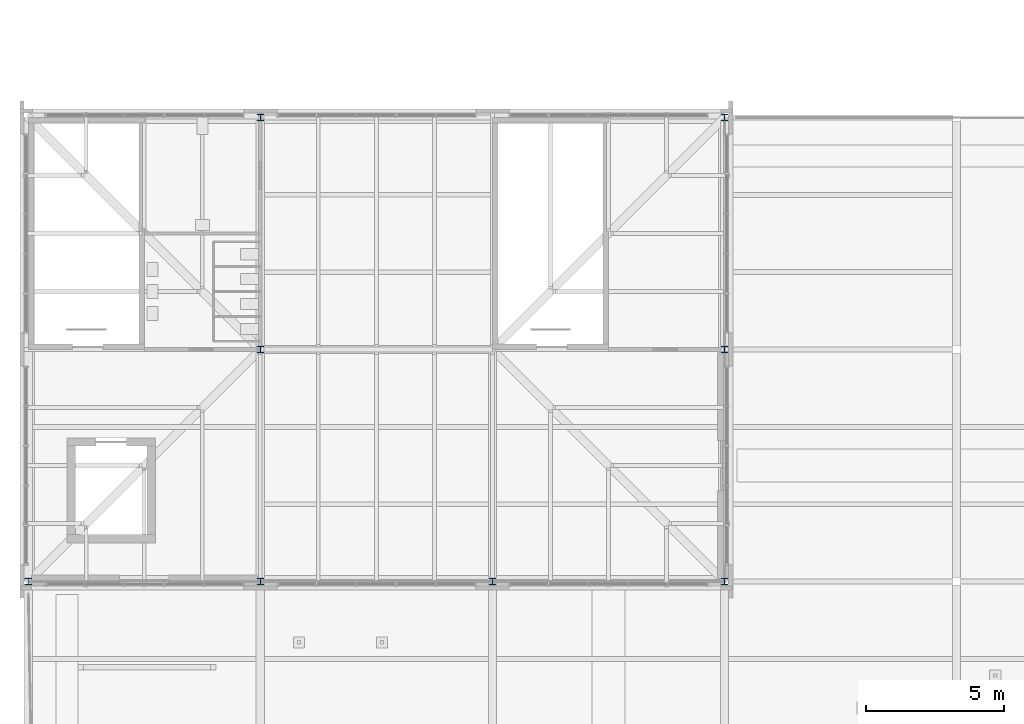
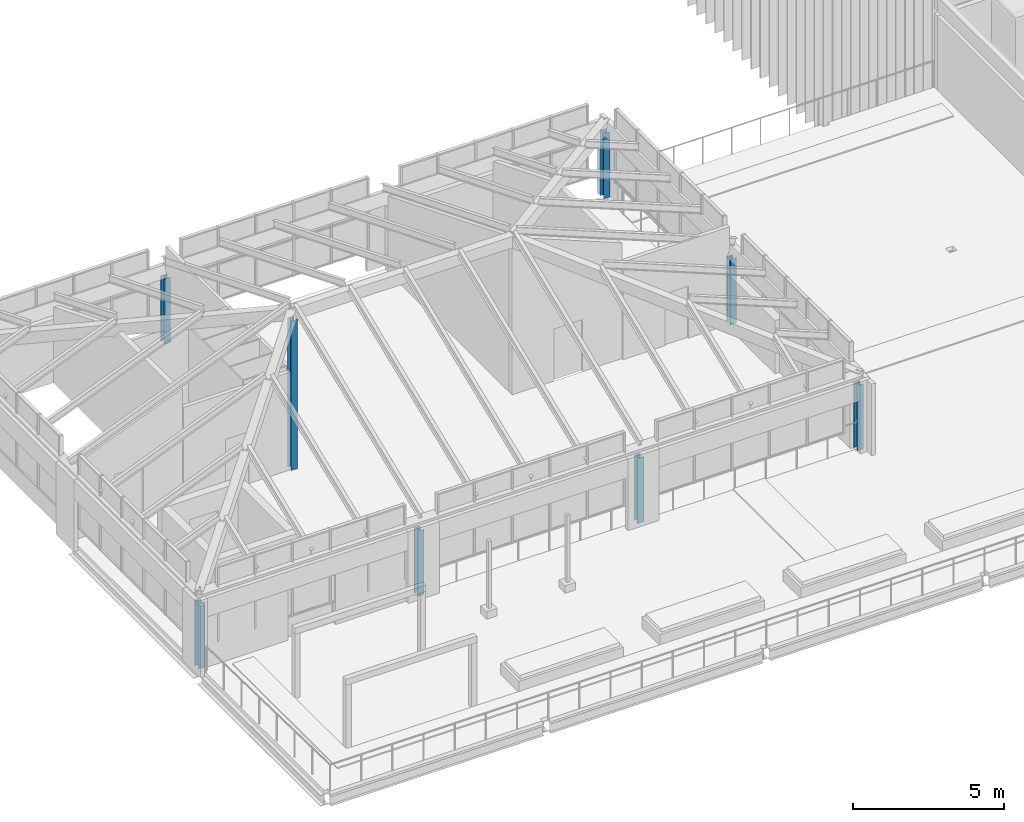
# One storey, part 1 of 126: 8 columns.
"""IFC4 building model written with IfcOpenShell, lengths in metres."""

from ifc_helpers import new_model, si_unit, direction, frame, origin, origin_2d, place, context, subcontext, project, spatial, i_section, extrude, material, material_profile, profile_set, type_object, element, save


model = new_model("IFC4")

# Units and contexts
model_context = context("Model", 3, precision=1e-05, world=origin(), true_north=direction((0.0, 1.0)))
body_context = subcontext(model_context, "Body", "Model", "MODEL_VIEW")
ifc_project = project(units=[si_unit("LENGTHUNIT", "METRE"), si_unit("AREAUNIT", "SQUARE_METRE"), si_unit("VOLUMEUNIT", "CUBIC_METRE"), si_unit("PLANEANGLEUNIT", "RADIAN"), si_unit("MASSUNIT", "GRAM", prefix="KILO")], contexts=[model_context])

# Site, building, storey
site_placement = place(None, origin())
site = spatial("IfcSite", under=ifc_project, at=site_placement, CompositionType="ELEMENT")
building_placement = place(site_placement, origin())
building = spatial("IfcBuilding", under=site, at=building_placement, Name="Sava Quay Ferry Terminal", CompositionType="ELEMENT")
storey_placement = place(building_placement, frame((0.0, 0.0, 15.0)))
storey = spatial("IfcBuildingStorey", under=building, at=storey_placement, Name="L03", CompositionType="ELEMENT", Elevation=15.0)

# Columns
ifc_material = material(Name="Steel S355", Category="steel")
ifc_material_profile = material_profile(ifc_material, i_section(OverallWidth=0.239990234375, OverallDepth=0.239990234375, WebThickness=0.010009765625, FlangeThickness=0.01708984375, at=origin_2d()), Name="HE 240 B")
ifc_profile_set = profile_set([ifc_material_profile], Name="Steel S355")
column_type = type_object("IfcColumnType", Name="Column HE 240 B", PredefinedType="COLUMN", material=ifc_profile_set)
for number, where, z_axis, x_axis, name in (
    (1, (0.0, 33.60009765625, 0.0), (0.0, 0.0, 1.0), (1.0, 0.0, 0.0), "Column L03 0/33.6"),
    (2, (8.39990234375, 33.60009765625, 0.0), (0.0, 0.0, 1.0), (1.0, 0.0, 0.0), "Column L03 8.4/33.6"),
):
    element("IfcColumn", number, at=place(storey_placement, frame(where, z_axis=z_axis, x_axis=x_axis)), inside=storey, type_object=column_type, Name=name, PredefinedType="COLUMN", context=body_context, shape_type="SweptSolid", body=[
        extrude(i_section(OverallWidth=0.239990234375, OverallDepth=0.239990234375, WebThickness=0.010009765625, FlangeThickness=0.01708984375, at=origin_2d()), origin(), (0.0, 0.0, 1.0), 2.635009765625),
    ])
column_placement = place(storey_placement, frame((8.39990234375, 42.0, 0.0), z_axis=(0.0, 0.0, 1.0), x_axis=(1.0, 0.0, 0.0)))
element("IfcColumn", 3, at=column_placement, inside=storey, type_object=column_type, Name="Column L03 8.4/42", PredefinedType="COLUMN", context=body_context, shape_type="SweptSolid", body=[
    extrude(i_section(OverallWidth=0.239990234375, OverallDepth=0.239990234375, WebThickness=0.010009765625, FlangeThickness=0.01708984375, at=origin_2d()), origin(), (0.0, 0.0, 1.0), 6.02880859375),
])
for number, where, z_axis, x_axis, name in (
    (4, (8.39990234375, 50.39990234375, 0.0), (0.0, 0.0, 1.0), (1.0, 0.0, 0.0), "Column L03 8.4/50.4"),
    (5, (16.800048828125, 33.60009765625, 0.0), (0.0, 0.0, 1.0), (1.0, 0.0, 0.0), "Column L03 16.8/33.6"),
    (6, (25.199951171875, 33.60009765625, 0.0), (0.0, 0.0, 1.0), (1.0, 0.0, 0.0), "Column L03 25.2/33.6"),
    (7, (25.199951171875, 42.0, 0.0), (0.0, 0.0, 1.0), (1.0, 0.0, 0.0), "Column L03 25.2/42"),
    (8, (25.199951171875, 50.39990234375, 0.0), (0.0, 0.0, 1.0), (1.0, 0.0, 0.0), "Column L03 25.2/50.4"),
):
    element("IfcColumn", number, at=place(storey_placement, frame(where, z_axis=z_axis, x_axis=x_axis)), inside=storey, type_object=column_type, Name=name, PredefinedType="COLUMN", context=body_context, shape_type="SweptSolid", body=[
        extrude(i_section(OverallWidth=0.239990234375, OverallDepth=0.239990234375, WebThickness=0.010009765625, FlangeThickness=0.01708984375, at=origin_2d()), origin(), (0.0, 0.0, 1.0), 2.635009765625),
    ])

save(model, "model.ifc")
